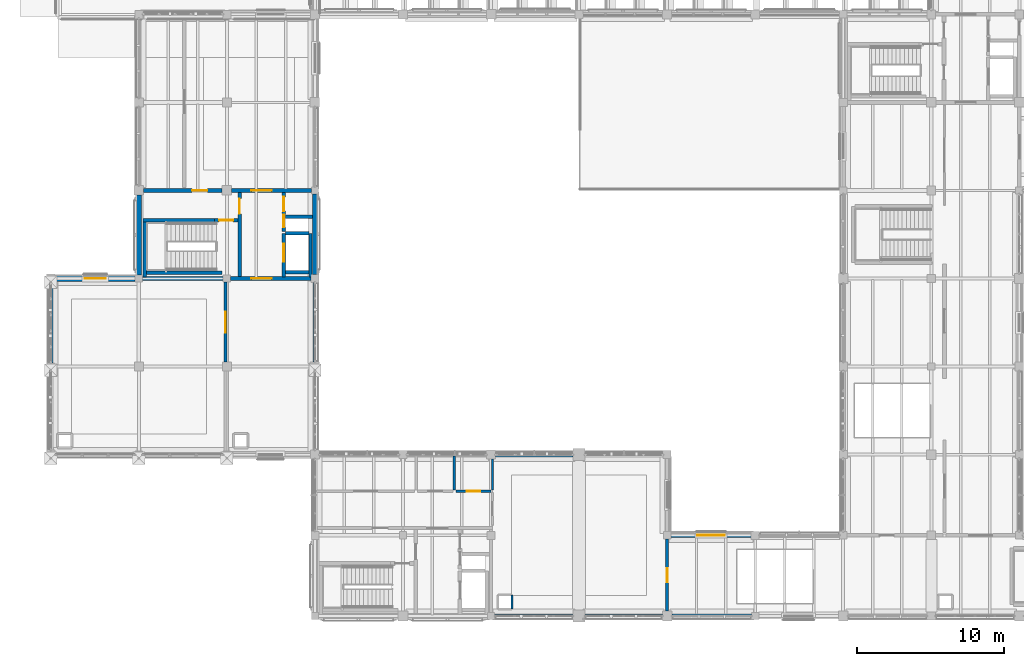
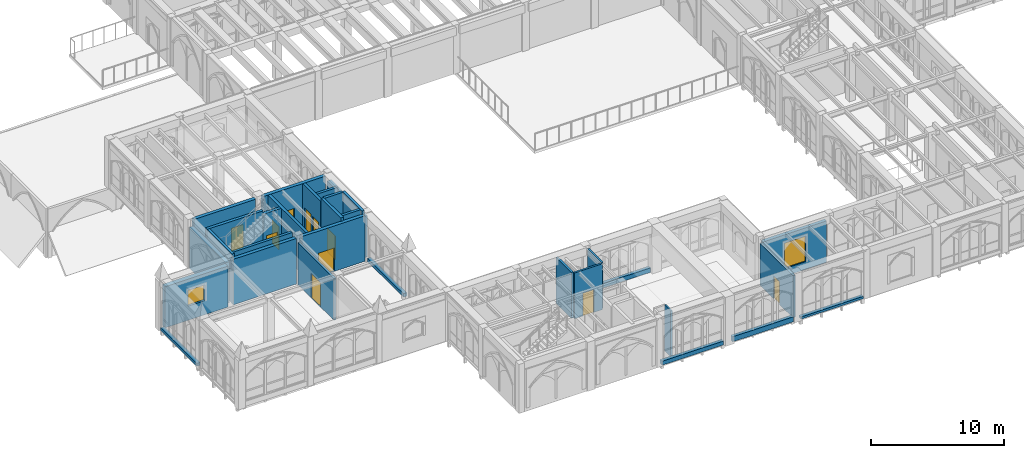
# One storey, part 76 of 127: 31 walls, 11 doors, 2 windows, 13 openings.
"""IFC4 building model written with IfcOpenShell, lengths in metres."""

from ifc_helpers import new_model, si_unit, direction, frame, frame_2d, origin, place, context, subcontext, project, spatial, rectangle, extrude, material, layer, layer_set, type_object, element, fill, save


model = new_model("IFC4")

# Units and contexts
model_context = context("Model", 3, precision=1e-05, world=origin(), true_north=direction((0.0, 1.0)))
body_context = subcontext(model_context, "Body", "Model", "MODEL_VIEW")
ifc_project = project(units=[si_unit("LENGTHUNIT", "METRE"), si_unit("AREAUNIT", "SQUARE_METRE"), si_unit("VOLUMEUNIT", "CUBIC_METRE"), si_unit("PLANEANGLEUNIT", "RADIAN"), si_unit("MASSUNIT", "GRAM", prefix="KILO")], contexts=[model_context])

# Site, building, storey
site_placement = place(None, origin())
site = spatial("IfcSite", under=ifc_project, at=site_placement, CompositionType="ELEMENT")
building_placement = place(site_placement, origin())
building = spatial("IfcBuilding", under=site, at=building_placement, Name="Cumevento Cable Car Station", CompositionType="ELEMENT")
storey_placement = place(building_placement, frame((0.0, 0.0, 4.5)))
storey = spatial("IfcBuildingStorey", under=building, at=storey_placement, Name="L02", CompositionType="ELEMENT", Elevation=4.5)

# Walls
ifc_material_1 = material(Name="Gnaisse Facoidal Stone Ashlar 85 MPa", Category="masonry")
ifc_layer_1 = layer(ifc_material_1, 0.294921875)
ifc_layer_set_1 = layer_set([ifc_layer_1], Name="Gnaisse Facoidal Stone Ashlar 85 MPa")
wall_type_1 = type_object("IfcWallType", Name="Exterior Envelope Wall EW-295 295", PredefinedType="SOLIDWALL", material=ifc_layer_set_1)
wall_1_placement = place(storey_placement, frame((39.60009765625, 4.0, 0.0), z_axis=(0.0, 0.0, 1.0), x_axis=(-1.0, 0.0, 0.0)))
element("IfcWall", 1, at=wall_1_placement, inside=storey, type_object=wall_type_1, Name="Exterior Sill Curb Wall EW-295 L02 #85", PredefinedType="SOLIDWALL", context=body_context, shape_type="SweptSolid", body=[
    extrude(rectangle(XDim=5.35009765625, YDim=0.294921875, at=frame_2d((2.675048828125, 0.0))), origin(), (0.0, 0.0, 1.0), 0.360107421875),
])
wall_2_placement = place(storey_placement, frame((34.300048828125, 15.0, 0.0), z_axis=(0.0, 0.0, 1.0), x_axis=(1.0, 0.0, 0.0)))
element("IfcWall", 2, at=wall_2_placement, inside=storey, type_object=wall_type_1, Name="Exterior Sill Curb Wall EW-295 L02 #86", PredefinedType="SOLIDWALL", context=body_context, shape_type="SweptSolid", body=[
    extrude(rectangle(XDim=5.300048828125, YDim=0.294921875, at=frame_2d((2.64990234375, 0.0))), origin(), (0.0, 0.0, 1.0), 0.409912109375),
])
wall_3_placement = place(storey_placement, frame((45.675048828125, 4.0, 0.0), z_axis=(0.0, 0.0, 1.0), x_axis=(-1.0, 0.0, 0.0)))
element("IfcWall", 3, at=wall_3_placement, inside=storey, type_object=wall_type_1, Name="Exterior Sill Curb Wall EW-295 L02 #87", PredefinedType="SOLIDWALL", context=body_context, shape_type="SweptSolid", body=[
    extrude(rectangle(XDim=5.275146484375, YDim=0.294921875, at=frame_2d((2.6376953125, 0.0))), origin(), (0.0, 0.0, 1.0), 0.4599609375),
])
wall_4_placement = place(storey_placement, frame((51.75, 4.0, 0.0), z_axis=(0.0, 0.0, 1.0), x_axis=(-1.0, 0.0, 0.0)))
element("IfcWall", 4, at=wall_4_placement, inside=storey, type_object=wall_type_1, Name="Exterior Sill Curb Wall EW-295 L02 #92", PredefinedType="SOLIDWALL", context=body_context, shape_type="SweptSolid", body=[
    extrude(rectangle(XDim=5.425048828125, YDim=0.294921875, at=frame_2d((2.71240234375, 0.0))), origin(), (0.0, 0.0, 1.0), 0.2099609375),
])

# Wall, opening, window
wall_5_placement = place(storey_placement, frame((46.25, 9.5, 0.0), z_axis=(0.0, 0.0, 1.0), x_axis=(1.0, 0.0, 0.0)))
wall_5 = element("IfcWall", 5, at=wall_5_placement, inside=storey, type_object=wall_type_1, Name="Exterior Wall EW-295 L02 #93", PredefinedType="SOLIDWALL", context=body_context, shape_type="SweptSolid", body=[
    extrude(rectangle(XDim=5.47509765625, YDim=0.294921875, at=frame_2d((2.737548828125, 0.0))), origin(), (0.0, 0.0, 1.0), 3.80908203125),
])
opening_1_placement = place(wall_5_placement, frame((1.8125, 0.0, 0.699951171875)))
opening_1 = element("IfcOpeningElement", 6, at=opening_1_placement, cuts=wall_5, Name="Opening WN-L02-035", PredefinedType="OPENING", context=body_context, shape_type="SweptSolid", body=[
    extrude(rectangle(XDim=1.85009765625, YDim=2.35009765625, at=frame_2d((0.925048828125, 1.175048828125))), frame((0.0, 0.157470703125, 0.0), z_axis=(0.0, -1.0, 0.0), x_axis=(1.0, 0.0, 0.0)), (0.0, 0.0, 1.0), 0.31494140625),
])
ifc_material_2 = material(Name="Anodised Bronze Aluminium & Laminated Solar Glass", Category="aluminium")
window_type_1 = type_object("IfcWindowType", Name="Lancet Window WN-11 1850x2350", PartitioningType="DOUBLE_PANEL_VERTICAL", PredefinedType="WINDOW", material=ifc_material_2)
window_1_placement = place(opening_1_placement, origin())
window_1 = element("IfcWindow", 7, at=window_1_placement, inside=storey, type_object=window_type_1, Name="Lancet Window WN-L02-035 (WN-11)", OverallHeight=2.35009765625, OverallWidth=1.85009765625, PartitioningType="SINGLE_PANEL", PredefinedType="WINDOW", context=body_context, shape_type="SweptSolid", body=[
    extrude(rectangle(XDim=1.85009765625, YDim=2.35009765625, at=frame_2d((0.925048828125, 1.175048828125))), frame((0.0, 0.030029296875, 0.0), z_axis=(0.0, -1.0, 0.0), x_axis=(1.0, 0.0, 0.0)), (0.0, 0.0, 1.0), 0.06005859375),
])
fill(opening_1, window_1)

# Walls
wall_6_placement = place(storey_placement, frame((4.0, 21.25, 0.0), z_axis=(0.0, 0.0, 1.0), x_axis=(0.0, 1.0, 0.0)))
element("IfcWall", 8, at=wall_6_placement, inside=storey, type_object=wall_type_1, Name="Exterior Sill Curb Wall EW-295 L02 #131", PredefinedType="SOLIDWALL", context=body_context, shape_type="SweptSolid", body=[
    extrude(rectangle(XDim=5.449951171875, YDim=0.294921875, at=frame_2d((2.72509765625, 0.0))), origin(), (0.0, 0.0, 1.0), 0.260009765625),
])
wall_7_placement = place(storey_placement, frame((22.0, 26.72509765625, 0.0), z_axis=(0.0, 0.0, 1.0), x_axis=(0.0, -1.0, 0.0)))
element("IfcWall", 9, at=wall_7_placement, inside=storey, type_object=wall_type_1, Name="Exterior Sill Curb Wall EW-295 L02 #132", PredefinedType="SOLIDWALL", context=body_context, shape_type="SweptSolid", body=[
    extrude(rectangle(XDim=5.400146484375, YDim=0.294921875, at=frame_2d((2.7001953125, 0.0))), origin(), (0.0, 0.0, 1.0), 0.31005859375),
])
ifc_material_3 = material(Name="Concrete C40/50", Category="concrete")
ifc_layer_2 = layer(ifc_material_3, 0.35498046875)
ifc_layer_set_2 = layer_set([ifc_layer_2], Name="Concrete C40/50")
wall_type_2 = type_object("IfcWallType", Name="Exterior Envelope Wall EW-355 355", PredefinedType="SOLIDWALL", material=ifc_layer_set_2)
wall_8_placement = place(storey_placement, frame((10.0, 27.25, 0.0), z_axis=(0.0, 0.0, 1.0), x_axis=(0.0, 1.0, 0.0)))
element("IfcWall", 10, at=wall_8_placement, inside=storey, type_object=wall_type_2, Name="Exterior Wall EW-355 L02 #133", PredefinedType="SOLIDWALL", context=body_context, shape_type="SweptSolid", body=[
    extrude(rectangle(XDim=5.425048828125, YDim=0.35498046875, at=frame_2d((2.71240234375, 0.0))), origin(), (0.0, 0.0, 1.0), 3.778076171875),
])
wall_9_placement = place(storey_placement, frame((22.0, 32.75, 0.0), z_axis=(0.0, 0.0, 1.0), x_axis=(0.0, -1.0, 0.0)))
element("IfcWall", 11, at=wall_9_placement, inside=storey, type_object=wall_type_2, Name="Exterior Wall EW-355 L02 #134", PredefinedType="SOLIDWALL", context=body_context, shape_type="SweptSolid", body=[
    extrude(rectangle(XDim=5.47509765625, YDim=0.35498046875, at=frame_2d((2.737548828125, 0.0))), origin(), (0.0, 0.0, 1.0), 3.778076171875),
])

# Wall, opening, window
ifc_material_4 = material(Name="Concrete C40/50", Category="concrete")
ifc_layer_3 = layer(ifc_material_4, 0.39990234375)
ifc_layer_set_3 = layer_set([ifc_layer_3], Name="Concrete C40/50")
wall_type_3 = type_object("IfcWallType", Name="Exterior Envelope Wall EW-400 400", PredefinedType="SOLIDWALL", material=ifc_layer_set_3)
wall_10_placement = place(storey_placement, frame((4.300048828125, 27.0, 0.0), z_axis=(0.0, 0.0, 1.0), x_axis=(1.0, 0.0, 0.0)))
wall_10 = element("IfcWall", 12, at=wall_10_placement, inside=storey, type_object=wall_type_3, Name="Exterior Wall EW-400 L02 #126", PredefinedType="SOLIDWALL", context=body_context, shape_type="SweptSolid", body=[
    extrude(rectangle(XDim=5.449951171875, YDim=0.39990234375, at=frame_2d((2.72509765625, 0.0))), origin(), (0.0, 0.0, 1.0), 3.778076171875),
])
opening_2_placement = place(wall_10_placement, frame((2.0, 0.0, 1.300048828125)))
opening_2 = element("IfcOpeningElement", 13, at=opening_2_placement, cuts=wall_10, Name="Opening WN-L02-044", PredefinedType="OPENING", context=body_context, shape_type="SweptSolid", body=[
    extrude(rectangle(XDim=1.449951171875, YDim=1.449951171875, at=frame_2d((0.72509765625, 0.72509765625))), frame((0.0, 0.2099609375, 0.0), z_axis=(0.0, -1.0, 0.0), x_axis=(1.0, 0.0, 0.0)), (0.0, 0.0, 1.0), 0.419921875),
])
ifc_material_5 = material(Name="Anodised Bronze Aluminium & Laminated Solar Glass", Category="aluminium")
window_type_2 = type_object("IfcWindowType", Name="Lancet Window WN-20 1450x1450", PartitioningType="SINGLE_PANEL", PredefinedType="WINDOW", material=ifc_material_5)
window_2_placement = place(opening_2_placement, origin())
window_2 = element("IfcWindow", 14, at=window_2_placement, inside=storey, type_object=window_type_2, Name="Lancet Window WN-L02-044 (WN-20)", OverallHeight=1.449951171875, OverallWidth=1.449951171875, PartitioningType="SINGLE_PANEL", PredefinedType="WINDOW", context=body_context, shape_type="SweptSolid", body=[
    extrude(rectangle(XDim=1.449951171875, YDim=1.449951171875, at=frame_2d((0.72509765625, 0.72509765625))), frame((0.0, 0.030029296875, 0.0), z_axis=(0.0, -1.0, 0.0), x_axis=(1.0, 0.0, 0.0)), (0.0, 0.0, 1.0), 0.06005859375),
])
fill(opening_2, window_2)

# Wall, opening, door
ifc_material_6 = material(Name="Concrete C40/50", Category="concrete")
ifc_layer_4 = layer(ifc_material_6, 0.219970703125)
ifc_layer_set_4 = layer_set([ifc_layer_4], Name="Concrete C40/50")
wall_type_4 = type_object("IfcWallType", Name="Interior Partition FW-220 220", PredefinedType="SOLIDWALL", material=ifc_layer_set_4)
wall_11_placement = place(storey_placement, frame((46.0, 4.326904296875, 0.0), z_axis=(0.0, 0.0, 1.0), x_axis=(0.0, 1.0, 0.0)))
wall_11 = element("IfcWall", 15, at=wall_11_placement, inside=storey, type_object=wall_type_4, Name="Interior Wall FW-220 L02 #591", PredefinedType="SOLIDWALL", context=body_context, shape_type="SweptSolid", body=[
    extrude(rectangle(XDim=4.921142578125, YDim=0.219970703125, at=frame_2d((2.46044921875, 0.0))), origin(), (0.0, 0.0, 1.0), 3.862060546875),
])
opening_3_placement = place(wall_11_placement, frame((1.990478515625, 0.0, 0.0)))
opening_3 = element("IfcOpeningElement", 16, at=opening_3_placement, cuts=wall_11, Name="Opening DR-L02-205", PredefinedType="OPENING", context=body_context, shape_type="SweptSolid", body=[
    extrude(rectangle(XDim=0.93994140625, YDim=2.10009765625, at=frame_2d((0.469970703125, 1.050048828125))), frame((0.0, 0.119873046875, 0.0), z_axis=(0.0, -1.0, 0.0), x_axis=(1.0, 0.0, 0.0)), (0.0, 0.0, 1.0), 0.239990234375),
])
ifc_material_7 = material(Name="Galvanised Painted Steel Fire Door", Category="steel")
door_type_1 = type_object("IfcDoorType", Name="Interior Door FD-08 940x2100", OperationType="NOTDEFINED", PredefinedType="DOOR", material=ifc_material_7)
door_1_placement = place(opening_3_placement, origin())
door_1 = element("IfcDoor", 17, at=door_1_placement, inside=storey, type_object=door_type_1, Name="Interior Door DR-L02-205 (FD-08)", OperationType="SINGLE_SWING_RIGHT", OverallHeight=2.10009765625, OverallWidth=0.93994140625, PredefinedType="DOOR", context=body_context, shape_type="SweptSolid", body=[
    extrude(rectangle(XDim=0.93994140625, YDim=2.10009765625, at=frame_2d((0.469970703125, 1.050048828125))), frame((0.0, 0.02490234375, 0.0), z_axis=(0.0, -1.0, 0.0), x_axis=(1.0, 0.0, 0.0)), (0.0, 0.0, 1.0), 0.050048828125),
])
fill(opening_3, door_1)

# Walls
ifc_material_8 = material(Name="Gypsum Board & Insulated Stud Partition", Category="gypsum")
ifc_layer_5 = layer(ifc_material_8, 0.14501953125)
ifc_layer_set_5 = layer_set([ifc_layer_5], Name="Gypsum Board & Insulated Stud Partition")
wall_type_5 = type_object("IfcWallType", Name="Interior Partition PT-145 145", PredefinedType="PARTITIONING", material=ifc_layer_set_5)
wall_12_placement = place(storey_placement, frame((35.429931640625, 4.469970703125, 0.0), z_axis=(0.0, 0.0, 1.0), x_axis=(0.0, 1.0, 0.0)))
element("IfcWall", 18, at=wall_12_placement, inside=storey, type_object=wall_type_5, Name="Interior Wall PT-145 L02 #2", PredefinedType="PARTITIONING", context=body_context, shape_type="SweptSolid", body=[
    extrude(rectangle(XDim=0.9599609375, YDim=0.14501953125, at=frame_2d((0.47998046875, 0.0))), origin(), (0.0, 0.0, 1.0), 4.216064453125),
])
ifc_material_9 = material(Name="Gypsum Board & Insulated Stud Partition", Category="gypsum")
ifc_layer_6 = layer(ifc_material_9, 0.155029296875)
ifc_layer_set_6 = layer_set([ifc_layer_6], Name="Gypsum Board & Insulated Stud Partition")
wall_type_6 = type_object("IfcWallType", Name="Interior Partition PT-155 155", PredefinedType="PARTITIONING", material=ifc_layer_set_6)
wall_13_placement = place(storey_placement, frame((34.10009765625, 12.60009765625, 0.0), z_axis=(0.0, 0.0, 1.0), x_axis=(0.0, 1.0, 0.0)))
element("IfcWall", 19, at=wall_13_placement, inside=storey, type_object=wall_type_6, Name="Interior Wall PT-155 L02 #590", PredefinedType="PARTITIONING", context=body_context, shape_type="SweptSolid", body=[
    extrude(rectangle(XDim=2.097900390625, YDim=0.155029296875, at=frame_2d((1.048828125, 0.0))), origin(), (0.0, 0.0, 1.0), 4.216064453125),
])

# Wall, opening, door
ifc_material_10 = material(Name="Gypsum Board & Insulated Stud Partition", Category="gypsum")
ifc_layer_7 = layer(ifc_material_10, 0.1650390625)
ifc_layer_set_7 = layer_set([ifc_layer_7], Name="Gypsum Board & Insulated Stud Partition")
wall_type_7 = type_object("IfcWallType", Name="Interior Partition PT-165 165", PredefinedType="PARTITIONING", material=ifc_layer_set_7)
wall_14_placement = place(storey_placement, frame((31.60009765625, 12.5, 0.0), z_axis=(0.0, 0.0, 1.0), x_axis=(1.0, 0.0, 0.0)))
wall_14 = element("IfcWall", 20, at=wall_14_placement, inside=storey, type_object=wall_type_7, Name="Interior Wall PT-165 L02 #594", PredefinedType="PARTITIONING", context=body_context, shape_type="SweptSolid", body=[
    extrude(rectangle(XDim=2.39990234375, YDim=0.1650390625, at=frame_2d((1.199951171875, 0.0))), origin(), (0.0, 0.0, 1.0), 4.216064453125),
])
opening_4_placement = place(wall_14_placement, frame((0.72998046875, 0.0, 0.0)))
opening_4 = element("IfcOpeningElement", 21, at=opening_4_placement, cuts=wall_14, Name="Opening DR-L02-208", PredefinedType="OPENING", context=body_context, shape_type="SweptSolid", body=[
    extrude(rectangle(XDim=0.93994140625, YDim=2.10009765625, at=frame_2d((0.469970703125, 1.050048828125))), frame((0.0, 0.092529296875, 0.0), z_axis=(0.0, -1.0, 0.0), x_axis=(1.0, 0.0, 0.0)), (0.0, 0.0, 1.0), 0.18505859375),
])
door_2_placement = place(opening_4_placement, origin())
door_2 = element("IfcDoor", 22, at=door_2_placement, inside=storey, type_object=door_type_1, Name="Interior Door DR-L02-208 (FD-08)", OperationType="SINGLE_SWING_RIGHT", OverallHeight=2.10009765625, OverallWidth=0.93994140625, PredefinedType="DOOR", context=body_context, shape_type="SweptSolid", body=[
    extrude(rectangle(XDim=0.93994140625, YDim=2.10009765625, at=frame_2d((0.469970703125, 1.050048828125))), frame((0.0, 0.02490234375, 0.0), z_axis=(0.0, -1.0, 0.0), x_axis=(1.0, 0.0, 0.0)), (0.0, 0.0, 1.0), 0.050048828125),
])
fill(opening_4, door_2)

# Wall
ifc_material_11 = material(Name="Moisture-Resistant Tile & Stud Partition", Category="gypsum")
ifc_layer_8 = layer(ifc_material_11, 0.18505859375)
ifc_layer_set_8 = layer_set([ifc_layer_8], Name="Moisture-Resistant Tile & Stud Partition")
wall_type_8 = type_object("IfcWallType", Name="Interior Partition PT-185 185", PredefinedType="PARTITIONING", material=ifc_layer_set_8)
wall_15_placement = place(storey_placement, frame((31.5, 12.60009765625, 0.0), z_axis=(0.0, 0.0, 1.0), x_axis=(0.0, 1.0, 0.0)))
element("IfcWall", 23, at=wall_15_placement, inside=storey, type_object=wall_type_8, Name="Interior Wall PT-185 L02 #596", PredefinedType="PARTITIONING", context=body_context, shape_type="SweptSolid", body=[
    extrude(rectangle(XDim=2.308837890625, YDim=0.18505859375, at=frame_2d((1.154296875, 0.0))), origin(), (0.0, 0.0, 1.0), 4.216064453125),
])

# Wall, opening, door
wall_16_placement = place(storey_placement, frame((15.89990234375, 21.302001953125, 0.0), z_axis=(0.0, 0.0, 1.0), x_axis=(0.0, 1.0, 0.0)))
wall_16 = element("IfcWall", 24, at=wall_16_placement, inside=storey, type_object=wall_type_8, Name="Interior Wall PT-185 L02 #612", PredefinedType="PARTITIONING", context=body_context, shape_type="SweptSolid", body=[
    extrude(rectangle(XDim=5.446044921875, YDim=0.18505859375, at=frame_2d((2.72314453125, 0.0))), origin(), (0.0, 0.0, 1.0), 3.8310546875),
])
opening_5_placement = place(wall_16_placement, frame((2.012939453125, 0.0, 0.0)))
opening_5 = element("IfcOpeningElement", 25, at=opening_5_placement, cuts=wall_16, Name="Opening DR-L02-220", PredefinedType="OPENING", context=body_context, shape_type="SweptSolid", body=[
    extrude(rectangle(XDim=1.419921875, YDim=2.239990234375, at=frame_2d((0.7099609375, 1.1201171875))), frame((0.0, 0.1025390625, 0.0), z_axis=(0.0, -1.0, 0.0), x_axis=(1.0, 0.0, 0.0)), (0.0, 0.0, 1.0), 0.205078125),
])
ifc_material_12 = material(Name="Anodised Bronze Aluminium Glazed Door", Category="aluminium")
door_type_2 = type_object("IfcDoorType", Name="Interior Door ID-10 1420x2240", OperationType="NOTDEFINED", PredefinedType="DOOR", material=ifc_material_12)
door_3_placement = place(opening_5_placement, origin())
door_3 = element("IfcDoor", 26, at=door_3_placement, inside=storey, type_object=door_type_2, Name="Interior Door DR-L02-220 (ID-10)", OperationType="DOUBLE_DOOR_SINGLE_SWING", OverallHeight=2.239990234375, OverallWidth=1.419921875, PredefinedType="DOOR", context=body_context, shape_type="SweptSolid", body=[
    extrude(rectangle(XDim=1.419921875, YDim=2.239990234375, at=frame_2d((0.7099609375, 1.1201171875))), frame((0.0, 0.02490234375, 0.0), z_axis=(0.0, -1.0, 0.0), x_axis=(1.0, 0.0, 0.0)), (0.0, 0.0, 1.0), 0.050048828125),
])
fill(opening_5, door_3)

# Walls
ifc_material_13 = material(Name="Concrete C40/50", Category="concrete")
ifc_layer_9 = layer(ifc_material_13, 0.22998046875)
ifc_layer_set_9 = layer_set([ifc_layer_9], Name="Concrete C40/50")
wall_type_9 = type_object("IfcWallType", Name="Interior Shear Wall CW-230 230", PredefinedType="SHEAR", material=ifc_layer_set_9)
wall_17_placement = place(storey_placement, frame((10.405029296875, 27.114990234375, 0.0), z_axis=(0.0, 0.0, 1.0), x_axis=(0.0, 1.0, 0.0)))
element("IfcWall", 27, at=wall_17_placement, inside=storey, type_object=wall_type_9, Name="Interior Wall CW-230 L02 #288", PredefinedType="SHEAR", context=body_context, shape_type="SweptSolid", body=[
    extrude(rectangle(XDim=3.735107421875, YDim=0.22998046875, at=frame_2d((1.86767578125, 0.0))), origin(), (0.0, 0.0, 1.0), 4.5),
])
wall_18_placement = place(storey_placement, frame((10.52001953125, 27.405029296875, 0.0), z_axis=(0.0, 0.0, 1.0), x_axis=(1.0, 0.0, 0.0)))
element("IfcWall", 28, at=wall_18_placement, inside=storey, type_object=wall_type_9, Name="Interior Wall CW-230 L02 #289", PredefinedType="SHEAR", context=body_context, shape_type="SweptSolid", body=[
    extrude(rectangle(XDim=5.1298828125, YDim=0.22998046875, at=frame_2d((2.56494140625, 0.0))), origin(), (0.0, 0.0, 1.0), 4.5),
])
wall_19_placement = place(storey_placement, frame((20.0048828125, 27.419921875, 0.0), z_axis=(0.0, 0.0, 1.0), x_axis=(1.0, 0.0, 0.0)))
element("IfcWall", 29, at=wall_19_placement, inside=storey, type_object=wall_type_9, Name="Interior Wall CW-230 L02 #294", PredefinedType="SHEAR", context=body_context, shape_type="SweptSolid", body=[
    extrude(rectangle(XDim=1.580078125, YDim=0.22998046875, at=frame_2d((0.7900390625, 0.0))), origin(), (0.0, 0.0, 1.0), 4.5),
])
wall_20_placement = place(storey_placement, frame((21.699951171875, 27.114990234375, 0.0), z_axis=(0.0, 0.0, 1.0), x_axis=(0.0, 1.0, 0.0)))
element("IfcWall", 30, at=wall_20_placement, inside=storey, type_object=wall_type_9, Name="Interior Wall CW-230 L02 #295", PredefinedType="SHEAR", context=body_context, shape_type="SweptSolid", body=[
    extrude(rectangle(XDim=2.965087890625, YDim=0.22998046875, at=frame_2d((1.482421875, 0.0))), origin(), (0.0, 0.0, 1.0), 4.5),
])
wall_21_placement = place(storey_placement, frame((20.0048828125, 30.080078125, 0.0), z_axis=(0.0, 0.0, 1.0), x_axis=(1.0, 0.0, 0.0)))
element("IfcWall", 31, at=wall_21_placement, inside=storey, type_object=wall_type_9, Name="Interior Wall CW-230 L02 #296", PredefinedType="SHEAR", context=body_context, shape_type="SweptSolid", body=[
    extrude(rectangle(XDim=1.580078125, YDim=0.22998046875, at=frame_2d((0.7900390625, 0.0))), origin(), (0.0, 0.0, 1.0), 4.5),
])
wall_22_placement = place(storey_placement, frame((20.0048828125, 31.219970703125, 0.0), z_axis=(0.0, 0.0, 1.0), x_axis=(1.0, 0.0, 0.0)))
element("IfcWall", 32, at=wall_22_placement, inside=storey, type_object=wall_type_9, Name="Interior Wall CW-230 L02 #298", PredefinedType="SHEAR", context=body_context, shape_type="SweptSolid", body=[
    extrude(rectangle(XDim=1.820068359375, YDim=0.22998046875, at=frame_2d((0.91015625, 0.0))), origin(), (0.0, 0.0, 1.0), 4.18505859375),
])
ifc_material_14 = material(Name="Concrete C40/50", Category="concrete")
ifc_layer_10 = layer(ifc_material_14, 0.25)
ifc_layer_set_10 = layer_set([ifc_layer_10], Name="Concrete C40/50")
wall_type_10 = type_object("IfcWallType", Name="Interior Shear Wall CW-250 250", PredefinedType="SHEAR", material=ifc_layer_set_10)
wall_23_placement = place(storey_placement, frame((10.2900390625, 30.97509765625, 0.0), z_axis=(0.0, 0.0, 1.0), x_axis=(1.0, 0.0, 0.0)))
element("IfcWall", 33, at=wall_23_placement, inside=storey, type_object=wall_type_10, Name="Interior Wall CW-250 L02 #290", PredefinedType="SHEAR", context=body_context, shape_type="SweptSolid", body=[
    extrude(rectangle(XDim=4.869873046875, YDim=0.25, at=frame_2d((2.43505859375, 0.0))), origin(), (0.0, 0.0, 1.0), 4.5),
])

# Wall, opening, door
wall_24_placement = place(storey_placement, frame((15.159912109375, 30.97509765625, 0.0), z_axis=(0.0, 0.0, 1.0), x_axis=(1.0, 0.0, 0.0)))
wall_24 = element("IfcWall", 34, at=wall_24_placement, inside=storey, type_object=wall_type_10, Name="Interior Wall CW-250 L02 #291", PredefinedType="SHEAR", context=body_context, shape_type="SweptSolid", body=[
    extrude(rectangle(XDim=1.580078125, YDim=0.25, at=frame_2d((0.7900390625, 0.0))), origin(), (0.0, 0.0, 1.0), 4.18505859375),
])
opening_6_placement = place(wall_24_placement, frame((0.31005859375, 0.0, 0.0)))
opening_6 = element("IfcOpeningElement", 35, at=opening_6_placement, cuts=wall_24, Name="Opening DR-L02-074", PredefinedType="OPENING", context=body_context, shape_type="SweptSolid", body=[
    extrude(rectangle(XDim=0.9599609375, YDim=2.1201171875, at=frame_2d((0.47998046875, 1.06005859375))), frame((0.0, 0.135009765625, 0.0), z_axis=(0.0, -1.0, 0.0), x_axis=(1.0, 0.0, 0.0)), (0.0, 0.0, 1.0), 0.27001953125),
])
ifc_material_15 = material(Name="Galvanised Painted Steel Fire Door", Category="steel")
door_type_3 = type_object("IfcDoorType", Name="Interior Door FD-01 960x2120", OperationType="NOTDEFINED", PredefinedType="DOOR", material=ifc_material_15)
door_4_placement = place(opening_6_placement, origin())
door_4 = element("IfcDoor", 36, at=door_4_placement, inside=storey, type_object=door_type_3, Name="Stair ST-03 Enclosure Door L02", OperationType="SINGLE_SWING_LEFT", OverallHeight=2.1201171875, OverallWidth=0.9599609375, PredefinedType="DOOR", context=body_context, shape_type="SweptSolid", body=[
    extrude(rectangle(XDim=0.9599609375, YDim=2.1201171875, at=frame_2d((0.47998046875, 1.06005859375))), frame((0.0, 0.02490234375, 0.0), z_axis=(0.0, -1.0, 0.0), x_axis=(1.0, 0.0, 0.0)), (0.0, 0.0, 1.0), 0.050048828125),
])
fill(opening_6, door_4)

wall_25_placement = place(storey_placement, frame((16.864990234375, 27.14990234375, 0.0), z_axis=(0.0, 0.0, 1.0), x_axis=(0.0, 1.0, 0.0)))
wall_25 = element("IfcWall", 37, at=wall_25_placement, inside=storey, type_object=wall_type_10, Name="Interior Wall CW-250 L02 #292", PredefinedType="SHEAR", context=body_context, shape_type="SweptSolid", body=[
    extrude(rectangle(XDim=5.7001953125, YDim=0.25, at=frame_2d((2.85009765625, 0.0))), origin(), (0.0, 0.0, 1.0), 4.18505859375),
])
opening_7_placement = place(wall_25_placement, frame((4.25, 0.0, 0.0)))
opening_7 = element("IfcOpeningElement", 38, at=opening_7_placement, cuts=wall_25, Name="Opening DR-L02-075", PredefinedType="OPENING", context=body_context, shape_type="SweptSolid", body=[
    extrude(rectangle(XDim=1.0400390625, YDim=2.139892578125, at=frame_2d((0.52001953125, 1.06982421875))), frame((0.0, 0.135009765625, 0.0), z_axis=(0.0, -1.0, 0.0), x_axis=(1.0, 0.0, 0.0)), (0.0, 0.0, 1.0), 0.27001953125),
])
ifc_material_16 = material(Name="Galvanised Painted Steel Fire Door", Category="steel")
door_type_4 = type_object("IfcDoorType", Name="Interior Door FD-02 1040x2140", OperationType="NOTDEFINED", PredefinedType="DOOR", material=ifc_material_16)
door_5_placement = place(opening_7_placement, origin())
door_5 = element("IfcDoor", 39, at=door_5_placement, inside=storey, type_object=door_type_4, Name="Lobby Vestibule Door CORE3 L02", OperationType="SINGLE_SWING_RIGHT", OverallHeight=2.139892578125, OverallWidth=1.0400390625, PredefinedType="DOOR", context=body_context, shape_type="SweptSolid", body=[
    extrude(rectangle(XDim=1.0400390625, YDim=2.139892578125, at=frame_2d((0.52001953125, 1.06982421875))), frame((0.0, 0.02490234375, 0.0), z_axis=(0.0, -1.0, 0.0), x_axis=(1.0, 0.0, 0.0)), (0.0, 0.0, 1.0), 0.050048828125),
])
fill(opening_7, door_5)

wall_26_placement = place(storey_placement, frame((19.8798828125, 27.114990234375, 0.0), z_axis=(0.0, 0.0, 1.0), x_axis=(0.0, 1.0, 0.0)))
wall_26 = element("IfcWall", 40, at=wall_26_placement, inside=storey, type_object=wall_type_10, Name="Interior Wall CW-250 L02 #293", PredefinedType="SHEAR", context=body_context, shape_type="SweptSolid", body=[
    extrude(rectangle(XDim=2.965087890625, YDim=0.25, at=frame_2d((1.482421875, 0.0))), origin(), (0.0, 0.0, 1.0), 4.5),
])
opening_8_placement = place(wall_26_placement, frame((1.014892578125, 0.0, 0.0)))
opening_8 = element("IfcOpeningElement", 41, at=opening_8_placement, cuts=wall_26, Name="Opening LD-LF03-L02", PredefinedType="OPENING", context=body_context, shape_type="SweptSolid", body=[
    extrude(rectangle(XDim=1.239990234375, YDim=2.199951171875, at=frame_2d((0.6201171875, 1.10009765625))), frame((0.0, 0.135009765625, 0.0), z_axis=(0.0, -1.0, 0.0), x_axis=(1.0, 0.0, 0.0)), (0.0, 0.0, 1.0), 0.27001953125),
])
ifc_material_17 = material(Name="Brushed Stainless Steel Lift Door", Category="steel")
door_type_5 = type_object("IfcDoorType", Name="Interior Door LD-03 1240x2200", OperationType="NOTDEFINED", PredefinedType="DOOR", material=ifc_material_17)
door_6_placement = place(opening_8_placement, origin())
door_6 = element("IfcDoor", 42, at=door_6_placement, inside=storey, type_object=door_type_5, Name="Lift Landing Door LD-LF03-L02", OperationType="SLIDING_TO_LEFT", OverallHeight=2.199951171875, OverallWidth=1.239990234375, PredefinedType="DOOR", context=body_context, shape_type="SweptSolid", body=[
    extrude(rectangle(XDim=1.239990234375, YDim=2.199951171875, at=frame_2d((0.6201171875, 1.10009765625))), frame((0.0, 0.02490234375, 0.0), z_axis=(0.0, -1.0, 0.0), x_axis=(1.0, 0.0, 0.0)), (0.0, 0.0, 1.0), 0.050048828125),
])
fill(opening_8, door_6)

# Wall, openings, doors
wall_27_placement = place(storey_placement, frame((19.8798828125, 30.199951171875, 0.0), z_axis=(0.0, 0.0, 1.0), x_axis=(0.0, 1.0, 0.0)))
wall_27 = element("IfcWall", 43, at=wall_27_placement, inside=storey, type_object=wall_type_10, Name="Interior Wall CW-250 L02 #297", PredefinedType="SHEAR", context=body_context, shape_type="SweptSolid", body=[
    extrude(rectangle(XDim=2.650146484375, YDim=0.25, at=frame_2d((1.3251953125, 0.0))), origin(), (0.0, 0.0, 1.0), 4.18505859375),
])
opening_9_placement = place(wall_27_placement, frame((0.280029296875, 0.0, 0.0)))
opening_9 = element("IfcOpeningElement", 44, at=opening_9_placement, cuts=wall_27, Name="Opening DR-L02-077", PredefinedType="OPENING", context=body_context, shape_type="SweptSolid", body=[
    extrude(rectangle(XDim=0.8798828125, YDim=2.080078125, at=frame_2d((0.43994140625, 1.0400390625))), frame((0.0, 0.135009765625, 0.0), z_axis=(0.0, -1.0, 0.0), x_axis=(1.0, 0.0, 0.0)), (0.0, 0.0, 1.0), 0.27001953125),
])
opening_10_placement = place(wall_27_placement, frame((1.39990234375, 0.0, 0.0)))
opening_10 = element("IfcOpeningElement", 45, at=opening_10_placement, cuts=wall_27, Name="Opening DR-L02-078", PredefinedType="OPENING", context=body_context, shape_type="SweptSolid", body=[
    extrude(rectangle(XDim=0.9599609375, YDim=2.1201171875, at=frame_2d((0.47998046875, 1.06005859375))), frame((0.0, 0.135009765625, 0.0), z_axis=(0.0, -1.0, 0.0), x_axis=(1.0, 0.0, 0.0)), (0.0, 0.0, 1.0), 0.27001953125),
])
door_7_placement = place(opening_10_placement, origin())
door_7 = element("IfcDoor", 46, at=door_7_placement, inside=storey, type_object=door_type_3, Name="East Vestibule Lobby Door CORE3 L02", OperationType="SINGLE_SWING_RIGHT", OverallHeight=2.1201171875, OverallWidth=0.9599609375, PredefinedType="DOOR", context=body_context, shape_type="SweptSolid", body=[
    extrude(rectangle(XDim=0.9599609375, YDim=2.1201171875, at=frame_2d((0.47998046875, 1.06005859375))), frame((0.0, 0.02490234375, 0.0), z_axis=(0.0, -1.0, 0.0), x_axis=(1.0, 0.0, 0.0)), (0.0, 0.0, 1.0), 0.050048828125),
])
fill(opening_10, door_7)
ifc_material_18 = material(Name="Galvanised Painted Steel Fire Door", Category="steel")
door_type_6 = type_object("IfcDoorType", Name="Interior Door FD-07 880x2080", OperationType="NOTDEFINED", PredefinedType="DOOR", material=ifc_material_18)
door_8_placement = place(opening_9_placement, origin())
door_8 = element("IfcDoor", 47, at=door_8_placement, inside=storey, type_object=door_type_6, Name="MEP Riser Access Door CORE3 L02", OperationType="SINGLE_SWING_LEFT", OverallHeight=2.080078125, OverallWidth=0.8798828125, PredefinedType="DOOR", context=body_context, shape_type="SweptSolid", body=[
    extrude(rectangle(XDim=0.8798828125, YDim=2.080078125, at=frame_2d((0.43994140625, 1.0400390625))), frame((0.0, 0.02490234375, 0.0), z_axis=(0.0, -1.0, 0.0), x_axis=(1.0, 0.0, 0.0)), (0.0, 0.0, 1.0), 0.050048828125),
])
fill(opening_9, door_8)

# Wall
ifc_material_19 = material(Name="Concrete C40/50", Category="concrete")
ifc_layer_11 = layer(ifc_material_19, 0.300048828125)
ifc_layer_set_11 = layer_set([ifc_layer_11], Name="Concrete C40/50")
wall_type_11 = type_object("IfcWallType", Name="Interior Shear Wall CW-300 300", PredefinedType="SHEAR", material=ifc_layer_set_11)
wall_28_placement = place(storey_placement, frame((10.25, 27.0, 0.0), z_axis=(0.0, 0.0, 1.0), x_axis=(1.0, 0.0, 0.0)))
element("IfcWall", 48, at=wall_28_placement, inside=storey, type_object=wall_type_11, Name="Interior Wall CW-300 L02 #284", PredefinedType="SHEAR", context=body_context, shape_type="SweptSolid", body=[
    extrude(rectangle(XDim=5.5, YDim=0.300048828125, at=frame_2d((2.75, 0.0))), origin(), (0.0, 0.0, 1.0), 4.18505859375),
])

# Wall, opening, door
wall_29_placement = place(storey_placement, frame((16.25, 27.0, 0.0), z_axis=(0.0, 0.0, 1.0), x_axis=(1.0, 0.0, 0.0)))
wall_29 = element("IfcWall", 49, at=wall_29_placement, inside=storey, type_object=wall_type_11, Name="Interior Wall CW-300 L02 #285", PredefinedType="SHEAR", context=body_context, shape_type="SweptSolid", body=[
    extrude(rectangle(XDim=5.47509765625, YDim=0.300048828125, at=frame_2d((2.737548828125, 0.0))), origin(), (0.0, 0.0, 1.0), 4.18505859375),
])
opening_11_placement = place(wall_29_placement, frame((1.409912109375, 0.0, 0.0)))
opening_11 = element("IfcOpeningElement", 50, at=opening_11_placement, cuts=wall_29, Name="Opening DR-L02-071", PredefinedType="OPENING", context=body_context, shape_type="SweptSolid", body=[
    extrude(rectangle(XDim=1.3798828125, YDim=2.159912109375, at=frame_2d((0.68994140625, 1.080078125))), frame((0.0, 0.159912109375, 0.0), z_axis=(0.0, -1.0, 0.0), x_axis=(1.0, 0.0, 0.0)), (0.0, 0.0, 1.0), 0.320068359375),
])
ifc_material_20 = material(Name="Galvanised Painted Steel Fire Door", Category="steel")
door_type_7 = type_object("IfcDoorType", Name="Interior Door FD-04 1380x2160", OperationType="NOTDEFINED", PredefinedType="DOOR", material=ifc_material_20)
door_9_placement = place(opening_11_placement, origin())
door_9 = element("IfcDoor", 51, at=door_9_placement, inside=storey, type_object=door_type_7, Name="Core CORE3 S_lobby Fire Door L02", OperationType="DOUBLE_DOOR_SINGLE_SWING", OverallHeight=2.159912109375, OverallWidth=1.3798828125, PredefinedType="DOOR", context=body_context, shape_type="SweptSolid", body=[
    extrude(rectangle(XDim=1.3798828125, YDim=2.159912109375, at=frame_2d((0.68994140625, 1.080078125))), frame((0.0, 0.02490234375, 0.0), z_axis=(0.0, -1.0, 0.0), x_axis=(1.0, 0.0, 0.0)), (0.0, 0.0, 1.0), 0.050048828125),
])
fill(opening_11, door_9)

wall_30_placement = place(storey_placement, frame((10.324951171875, 33.0, 0.0), z_axis=(0.0, 0.0, 1.0), x_axis=(1.0, 0.0, 0.0)))
wall_30 = element("IfcWall", 52, at=wall_30_placement, inside=storey, type_object=wall_type_11, Name="Interior Wall CW-300 L02 #286", PredefinedType="SHEAR", context=body_context, shape_type="SweptSolid", body=[
    extrude(rectangle(XDim=5.35009765625, YDim=0.300048828125, at=frame_2d((2.675048828125, 0.0))), origin(), (0.0, 0.0, 1.0), 4.18505859375),
])
opening_12_placement = place(wall_30_placement, frame((3.304931640625, 0.0, 0.0)))
opening_12 = element("IfcOpeningElement", 53, at=opening_12_placement, cuts=wall_30, Name="Opening DR-L02-072", PredefinedType="OPENING", context=body_context, shape_type="SweptSolid", body=[
    extrude(rectangle(XDim=1.0400390625, YDim=2.139892578125, at=frame_2d((0.52001953125, 1.06982421875))), frame((0.0, 0.159912109375, 0.0), z_axis=(0.0, -1.0, 0.0), x_axis=(1.0, 0.0, 0.0)), (0.0, 0.0, 1.0), 0.320068359375),
])
door_10_placement = place(opening_12_placement, origin())
door_10 = element("IfcDoor", 54, at=door_10_placement, inside=storey, type_object=door_type_4, Name="Core CORE3 N_vest Fire Door L02", OperationType="SINGLE_SWING_RIGHT", OverallHeight=2.139892578125, OverallWidth=1.0400390625, PredefinedType="DOOR", context=body_context, shape_type="SweptSolid", body=[
    extrude(rectangle(XDim=1.0400390625, YDim=2.139892578125, at=frame_2d((0.52001953125, 1.06982421875))), frame((0.0, 0.02490234375, 0.0), z_axis=(0.0, -1.0, 0.0), x_axis=(1.0, 0.0, 0.0)), (0.0, 0.0, 1.0), 0.050048828125),
])
fill(opening_12, door_10)

wall_31_placement = place(storey_placement, frame((16.324951171875, 33.0, 0.0), z_axis=(0.0, 0.0, 1.0), x_axis=(1.0, 0.0, 0.0)))
wall_31 = element("IfcWall", 55, at=wall_31_placement, inside=storey, type_object=wall_type_11, Name="Interior Wall CW-300 L02 #287", PredefinedType="SHEAR", context=body_context, shape_type="SweptSolid", body=[
    extrude(rectangle(XDim=5.425048828125, YDim=0.300048828125, at=frame_2d((2.71240234375, 0.0))), origin(), (0.0, 0.0, 1.0), 4.18505859375),
])
opening_13_placement = place(wall_31_placement, frame((1.3349609375, 0.0, 0.0)))
opening_13 = element("IfcOpeningElement", 56, at=opening_13_placement, cuts=wall_31, Name="Opening DR-L02-073", PredefinedType="OPENING", context=body_context, shape_type="SweptSolid", body=[
    extrude(rectangle(XDim=1.3798828125, YDim=2.159912109375, at=frame_2d((0.68994140625, 1.080078125))), frame((0.0, 0.159912109375, 0.0), z_axis=(0.0, -1.0, 0.0), x_axis=(1.0, 0.0, 0.0)), (0.0, 0.0, 1.0), 0.320068359375),
])
door_11_placement = place(opening_13_placement, origin())
door_11 = element("IfcDoor", 57, at=door_11_placement, inside=storey, type_object=door_type_7, Name="Core CORE3 N_lobby Fire Door L02", OperationType="DOUBLE_DOOR_SINGLE_SWING", OverallHeight=2.159912109375, OverallWidth=1.3798828125, PredefinedType="DOOR", context=body_context, shape_type="SweptSolid", body=[
    extrude(rectangle(XDim=1.3798828125, YDim=2.159912109375, at=frame_2d((0.68994140625, 1.080078125))), frame((0.0, 0.02490234375, 0.0), z_axis=(0.0, -1.0, 0.0), x_axis=(1.0, 0.0, 0.0)), (0.0, 0.0, 1.0), 0.050048828125),
])
fill(opening_13, door_11)

save(model, "model.ifc")
